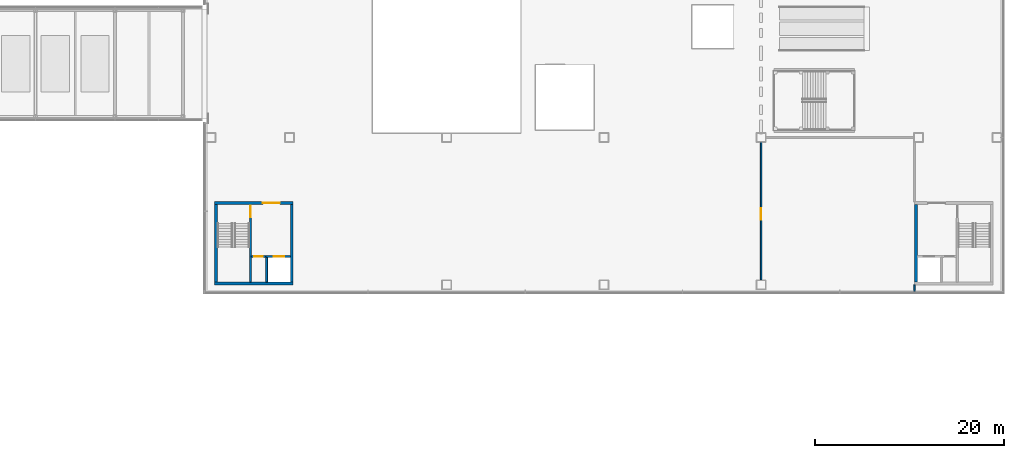
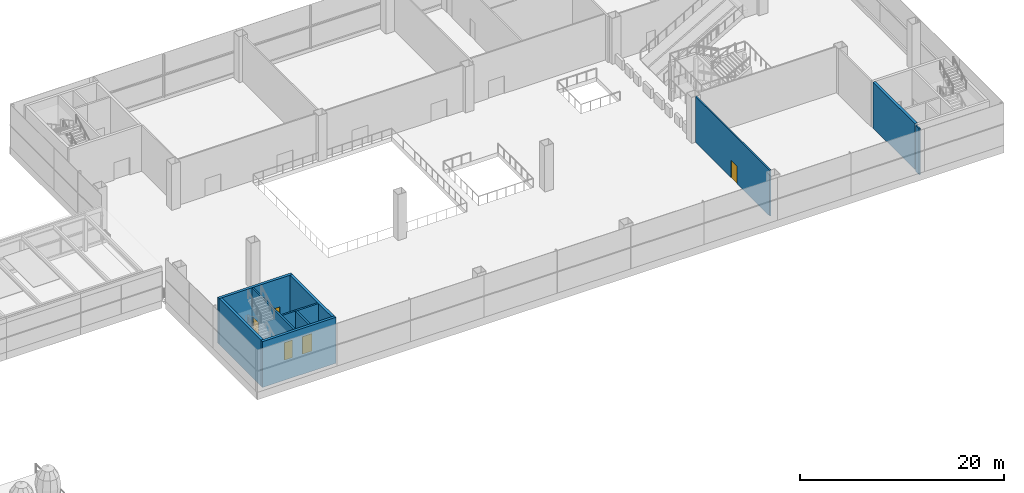
# One storey, part 38 of 100: 11 walls, 5 doors, 5 openings.
"""IFC4 building model written with IfcOpenShell, lengths in metres."""

from ifc_helpers import new_model, si_unit, direction, frame, frame_2d, origin, place, context, subcontext, project, spatial, rectangle, extrude, material, layer, layer_set, type_object, element, fill, save


model = new_model("IFC4")

# Units and contexts
model_context = context("Model", 3, precision=1e-05, world=origin(), true_north=direction((0.0, 1.0)))
body_context = subcontext(model_context, "Body", "Model", "MODEL_VIEW")
ifc_project = project(units=[si_unit("LENGTHUNIT", "METRE"), si_unit("AREAUNIT", "SQUARE_METRE"), si_unit("VOLUMEUNIT", "CUBIC_METRE"), si_unit("PLANEANGLEUNIT", "RADIAN"), si_unit("MASSUNIT", "GRAM", prefix="KILO")], contexts=[model_context])

# Site, building, storey
site_placement = place(None, origin())
site = spatial("IfcSite", under=ifc_project, at=site_placement, CompositionType="ELEMENT")
building_placement = place(site_placement, origin())
building = spatial("IfcBuilding", under=site, at=building_placement, Name="Hakoniwa Tower and Hamabe Station Hall", CompositionType="ELEMENT")
storey_placement = place(building_placement, frame((0.0, 0.0, 9.0)))
storey = spatial("IfcBuildingStorey", under=building, at=storey_placement, Name="L02", CompositionType="ELEMENT", Elevation=9.0)

# Wall, opening, door
ifc_material_1 = material(Name="Concrete block masonry fb10", Category="masonry")
ifc_layer_1 = layer(ifc_material_1, 0.199951171875)
ifc_layer_set_1 = layer_set([ifc_layer_1], Name="BLOCK WALL 200 EI 60")
wall_type_1 = type_object("IfcWallType", Name="BLOCK WALL 200 EI 60", PredefinedType="PARTITIONING", material=ifc_layer_set_1)
wall_1_placement = place(storey_placement, frame((90.25, -20.39990234375, 0.0), z_axis=(0.0, 0.0, 1.0), x_axis=(1.0, 0.0, 0.0)))
wall_1 = element("IfcWall", 1, at=wall_1_placement, inside=storey, type_object=wall_type_1, Name="Station riser room wall SC3 L02", PredefinedType="PARTITIONING", context=body_context, shape_type="SweptSolid", body=[
    extrude(rectangle(XDim=1.5, YDim=0.199951171875, at=frame_2d((0.75, 0.0))), origin(), (0.0, 0.0, 1.0), 5.5),
])
opening_1_placement = place(wall_1_placement, frame((0.300048828125, 0.0, 0.0)))
opening_1 = element("IfcOpeningElement", 2, at=opening_1_placement, cuts=wall_1, Name="Opening SD-L02-020", PredefinedType="OPENING", context=body_context, shape_type="SweptSolid", body=[
    extrude(rectangle(XDim=0.89990234375, YDim=2.10009765625, at=frame_2d((0.449951171875, 1.050048828125))), frame((0.0, 0.10986328125, 0.0), z_axis=(0.0, -1.0, 0.0), x_axis=(1.0, 0.0, 0.0)), (0.0, 0.0, 1.0), 0.219970703125),
])
ifc_material_2 = material(Name="Steel fire door", Category="steel")
door_type_1 = type_object("IfcDoorType", Name="FIRE DOOR 900X2100 FD30", OperationType="SINGLE_SWING_LEFT", PredefinedType="DOOR", material=ifc_material_2)
door_1_placement = place(opening_1_placement, origin())
door_1 = element("IfcDoor", 3, at=door_1_placement, inside=storey, type_object=door_type_1, Name="Door riser SC3", OperationType="SINGLE_SWING_RIGHT", OverallHeight=2.10009765625, OverallWidth=0.89990234375, PredefinedType="DOOR", context=body_context, shape_type="SweptSolid", body=[
    extrude(rectangle(XDim=0.89990234375, YDim=2.10009765625, at=frame_2d((0.449951171875, 1.050048828125))), frame((0.0, 0.02490234375, 0.0), z_axis=(0.0, -1.0, 0.0), x_axis=(1.0, 0.0, 0.0)), (0.0, 0.0, 1.0), 0.050048828125),
])
fill(opening_1, door_1)

ifc_material_3 = material(Name="Fire-rated gypsum board partition")
ifc_layer_2 = layer(ifc_material_3, 0.14990234375)
ifc_layer_set_2 = layer_set([ifc_layer_2], Name="FIRE PARTITION 150 EI 60")
wall_type_2 = type_object("IfcWallType", Name="FIRE PARTITION 150 EI 60", PredefinedType="PARTITIONING", material=ifc_layer_set_2)
wall_2_placement = place(storey_placement, frame((144.18994140625, -22.89990234375, 0.0), z_axis=(0.0, 0.0, 1.0), x_axis=(0.0, 1.0, 0.0)))
wall_2 = element("IfcWall", 4, at=wall_2_placement, inside=storey, type_object=wall_type_2, Name="Partition L02 13", PredefinedType="PARTITIONING", context=body_context, shape_type="SweptSolid", body=[
    extrude(rectangle(XDim=14.599853515625, YDim=0.14990234375, at=frame_2d((7.2998046875, 0.0))), origin(), (0.0, 0.0, 1.0), 5.5),
])
opening_2_placement = place(wall_2_placement, frame((6.39990234375, 0.0, 0.0)))
opening_2 = element("IfcOpeningElement", 5, at=opening_2_placement, cuts=wall_2, Name="Opening SD-L02-001", PredefinedType="OPENING", context=body_context, shape_type="SweptSolid", body=[
    extrude(rectangle(XDim=1.199951171875, YDim=2.10009765625, at=frame_2d((0.60009765625, 1.050048828125))), frame((0.0, 0.0849609375, 0.0), z_axis=(0.0, -1.0, 0.0), x_axis=(1.0, 0.0, 0.0)), (0.0, 0.0, 1.0), 0.169921875),
])
ifc_material_4 = material(Name="Steel fire door", Category="steel")
door_type_2 = type_object("IfcDoorType", Name="FIRE DOOR 1200X2100 FD60", OperationType="SINGLE_SWING_LEFT", PredefinedType="DOOR", material=ifc_material_4)
door_2_placement = place(opening_2_placement, origin())
door_2 = element("IfcDoor", 6, at=door_2_placement, inside=storey, type_object=door_type_2, Name="Door Food Hall Kitchen", OperationType="SINGLE_SWING_RIGHT", OverallHeight=2.10009765625, OverallWidth=1.199951171875, PredefinedType="DOOR", context=body_context, shape_type="SweptSolid", body=[
    extrude(rectangle(XDim=1.199951171875, YDim=2.10009765625, at=frame_2d((0.60009765625, 1.050048828125))), frame((0.0, 0.02490234375, 0.0), z_axis=(0.0, -1.0, 0.0), x_axis=(1.0, 0.0, 0.0)), (0.0, 0.0, 1.0), 0.050048828125),
])
fill(opening_2, door_2)

# Wall
wall_3_placement = place(storey_placement, frame((160.429931640625, -24.10009765625, 0.0), z_axis=(0.0, 0.0, 1.0), x_axis=(0.0, 1.0, 0.0)))
element("IfcWall", 7, at=wall_3_placement, inside=storey, type_object=wall_type_2, Name="Partition L02 15", PredefinedType="PARTITIONING", context=body_context, shape_type="SweptSolid", body=[
    extrude(rectangle(XDim=0.7001953125, YDim=0.14990234375, at=frame_2d((0.35009765625, 0.0))), origin(), (0.0, 0.0, 1.0), 5.5),
])

# Wall, opening, door
ifc_material_5 = material(Name="Concrete C60", Category="concrete")
ifc_layer_3 = layer(ifc_material_5, 0.199951171875)
ifc_layer_set_3 = layer_set([ifc_layer_3], Name="RC WALL 200 EI 120 C60")
wall_type_3 = type_object("IfcWallType", Name="RC WALL 200 EI 120 C60", PredefinedType="SHEAR", material=ifc_layer_set_3)
wall_4_placement = place(storey_placement, frame((90.14990234375, -23.10009765625, 0.0), z_axis=(0.0, 0.0, 1.0), x_axis=(0.0, 1.0, 0.0)))
wall_4 = element("IfcWall", 8, at=wall_4_placement, inside=storey, type_object=wall_type_3, Name="Station stair wall SC3 L02", PredefinedType="SHEAR", context=body_context, shape_type="SweptSolid", body=[
    extrude(rectangle(XDim=8.2001953125, YDim=0.199951171875, at=frame_2d((4.10009765625, 0.0))), origin(), (0.0, 0.0, 1.0), 5.5),
])
opening_3_placement = place(wall_4_placement, frame((6.85009765625, 0.0, 0.0)))
opening_3 = element("IfcOpeningElement", 9, at=opening_3_placement, cuts=wall_4, Name="Opening SD-L02-019", PredefinedType="OPENING", context=body_context, shape_type="SweptSolid", body=[
    extrude(rectangle(XDim=1.199951171875, YDim=2.10009765625, at=frame_2d((0.60009765625, 1.050048828125))), frame((0.0, 0.10986328125, 0.0), z_axis=(0.0, -1.0, 0.0), x_axis=(1.0, 0.0, 0.0)), (0.0, 0.0, 1.0), 0.219970703125),
])
door_3_placement = place(opening_3_placement, origin())
door_3 = element("IfcDoor", 10, at=door_3_placement, inside=storey, type_object=door_type_2, Name="Door escape stair SC3", OperationType="SINGLE_SWING_RIGHT", OverallHeight=2.10009765625, OverallWidth=1.199951171875, PredefinedType="DOOR", context=body_context, shape_type="SweptSolid", body=[
    extrude(rectangle(XDim=1.199951171875, YDim=2.10009765625, at=frame_2d((0.60009765625, 1.050048828125))), frame((0.0, 0.02490234375, 0.0), z_axis=(0.0, -1.0, 0.0), x_axis=(1.0, 0.0, 0.0)), (0.0, 0.0, 1.0), 0.050048828125),
])
fill(opening_3, door_3)

# Wall
ifc_material_6 = material(Name="Concrete C60", Category="concrete")
ifc_layer_4 = layer(ifc_material_6, 0.199951171875)
ifc_layer_set_4 = layer_set([ifc_layer_4], Name="RC WALL 200 EI 60 C60")
wall_type_4 = type_object("IfcWallType", Name="RC WALL 200 EI 60 C60", PredefinedType="SHEAR", material=ifc_layer_set_4)
wall_5_placement = place(storey_placement, frame((91.85009765625, -23.10009765625, 0.0), z_axis=(0.0, 0.0, 1.0), x_axis=(0.0, 1.0, 0.0)))
element("IfcWall", 11, at=wall_5_placement, inside=storey, type_object=wall_type_4, Name="Station hoistway wall SC3 L02", PredefinedType="SHEAR", context=body_context, shape_type="SweptSolid", body=[
    extrude(rectangle(XDim=2.60009765625, YDim=0.199951171875, at=frame_2d((1.300048828125, 0.0))), origin(), (0.0, 0.0, 1.0), 5.5),
])

# Wall, opening, door
wall_6_placement = place(storey_placement, frame((91.75, -20.39990234375, 0.0), z_axis=(0.0, 0.0, 1.0), x_axis=(1.0, 0.0, 0.0)))
wall_6 = element("IfcWall", 12, at=wall_6_placement, inside=storey, type_object=wall_type_4, Name="Station hoistway front wall SC3 L02", PredefinedType="SHEAR", context=body_context, shape_type="SweptSolid", body=[
    extrude(rectangle(XDim=2.6201171875, YDim=0.199951171875, at=frame_2d((1.31005859375, 0.0))), origin(), (0.0, 0.0, 1.0), 5.5),
])
opening_4_placement = place(wall_6_placement, frame((0.85009765625, 0.0, 0.0)))
opening_4 = element("IfcOpeningElement", 13, at=opening_4_placement, cuts=wall_6, Name="Opening LD-SL3-L02", PredefinedType="OPENING", context=body_context, shape_type="SweptSolid", body=[
    extrude(rectangle(XDim=1.10009765625, YDim=2.10009765625, at=frame_2d((0.550048828125, 1.050048828125))), frame((0.0, 0.10986328125, 0.0), z_axis=(0.0, -1.0, 0.0), x_axis=(1.0, 0.0, 0.0)), (0.0, 0.0, 1.0), 0.219970703125),
])
ifc_material_7 = material(Name="Stainless steel SUS304", Category="steel")
door_type_3 = type_object("IfcDoorType", Name="LIFT LANDING DOOR 1100X2100", OperationType="DOUBLE_DOOR_SLIDING", PredefinedType="DOOR", material=ifc_material_7)
door_4_placement = place(opening_4_placement, origin())
door_4 = element("IfcDoor", 14, at=door_4_placement, inside=storey, type_object=door_type_3, Name="Lift landing door SL3 L02", OperationType="DOUBLE_DOOR_SLIDING", OverallHeight=2.10009765625, OverallWidth=1.10009765625, PredefinedType="DOOR", context=body_context, shape_type="SweptSolid", body=[
    extrude(rectangle(XDim=1.10009765625, YDim=2.10009765625, at=frame_2d((0.550048828125, 1.050048828125))), frame((0.0, 0.02490234375, 0.0), z_axis=(0.0, -1.0, 0.0), x_axis=(1.0, 0.0, 0.0)), (0.0, 0.0, 1.0), 0.050048828125),
])
fill(opening_4, door_4)

# Wall
ifc_material_8 = material(Name="Concrete C60", Category="concrete")
ifc_layer_5 = layer(ifc_material_8, 0.300048828125)
ifc_layer_set_5 = layer_set([ifc_layer_5], Name="RC WALL 300 EI 120 C60")
wall_type_5 = type_object("IfcWallType", Name="RC WALL 300 EI 120 C60", PredefinedType="SHEAR", material=ifc_layer_set_5)
wall_7_placement = place(storey_placement, frame((86.35009765625, -23.25, 0.0), z_axis=(0.0, 0.0, 1.0), x_axis=(1.0, 0.0, 0.0)))
element("IfcWall", 15, at=wall_7_placement, inside=storey, type_object=wall_type_5, Name="Station core wall SC3 outer-v L02", PredefinedType="SHEAR", context=body_context, shape_type="SweptSolid", body=[
    extrude(rectangle(XDim=8.31982421875, YDim=0.300048828125, at=frame_2d((4.159912109375, 0.0))), origin(), (0.0, 0.0, 1.0), 5.5),
])

# Wall, opening, door
wall_8_placement = place(storey_placement, frame((86.35009765625, -14.75, 0.0), z_axis=(0.0, 0.0, 1.0), x_axis=(1.0, 0.0, 0.0)))
wall_8 = element("IfcWall", 16, at=wall_8_placement, inside=storey, type_object=wall_type_5, Name="Station core wall SC3 inner-v L02", PredefinedType="SHEAR", context=body_context, shape_type="SweptSolid", body=[
    extrude(rectangle(XDim=8.31982421875, YDim=0.300048828125, at=frame_2d((4.159912109375, 0.0))), origin(), (0.0, 0.0, 1.0), 5.5),
])
opening_5_placement = place(wall_8_placement, frame((5.10009765625, 0.0, 0.0)))
opening_5 = element("IfcOpeningElement", 17, at=opening_5_placement, cuts=wall_8, Name="Opening SD-L02-018", PredefinedType="OPENING", context=body_context, shape_type="SweptSolid", body=[
    extrude(rectangle(XDim=1.800048828125, YDim=2.10009765625, at=frame_2d((0.89990234375, 1.050048828125))), frame((0.0, 0.159912109375, 0.0), z_axis=(0.0, -1.0, 0.0), x_axis=(1.0, 0.0, 0.0)), (0.0, 0.0, 1.0), 0.320068359375),
])
ifc_material_9 = material(Name="Steel fire door", Category="steel")
door_type_4 = type_object("IfcDoorType", Name="FIRE DOUBLE DOOR 1800X2100 FD60", OperationType="DOUBLE_DOOR_SINGLE_SWING", PredefinedType="DOOR", material=ifc_material_9)
door_5_placement = place(opening_5_placement, origin())
door_5 = element("IfcDoor", 18, at=door_5_placement, inside=storey, type_object=door_type_4, Name="Door lobby SC3", OperationType="DOUBLE_DOOR_SINGLE_SWING", OverallHeight=2.10009765625, OverallWidth=1.800048828125, PredefinedType="DOOR", context=body_context, shape_type="SweptSolid", body=[
    extrude(rectangle(XDim=1.800048828125, YDim=2.10009765625, at=frame_2d((0.89990234375, 1.050048828125))), frame((0.0, 0.02490234375, 0.0), z_axis=(0.0, -1.0, 0.0), x_axis=(1.0, 0.0, 0.0)), (0.0, 0.0, 1.0), 0.050048828125),
])
fill(opening_5, door_5)

# Walls
for number, where, z_axis, x_axis, name in (
    (19, (86.5, -23.10009765625, 0.0), (0.0, 0.0, 1.0), (0.0, 1.0, 0.0), "Station core wall SC3 outer-u L02"),
    (20, (94.52001953125, -23.10009765625, 0.0), (0.0, 0.0, 1.0), (0.0, 1.0, 0.0), "Station core wall SC3 inner-u L02"),
    (21, (160.580078125, -23.10009765625, 0.0), (0.0, 0.0, 1.0), (0.0, 1.0, 0.0), "Station core wall SC4 inner-u L02"),
):
    element("IfcWall", number, at=place(storey_placement, frame(where, z_axis=z_axis, x_axis=x_axis)), inside=storey, type_object=wall_type_5, Name=name, PredefinedType="SHEAR", context=body_context, shape_type="SweptSolid", body=[
        extrude(rectangle(XDim=8.2001953125, YDim=0.300048828125, at=frame_2d((4.10009765625, 0.0))), origin(), (0.0, 0.0, 1.0), 5.5),
    ])

save(model, "model.ifc")
